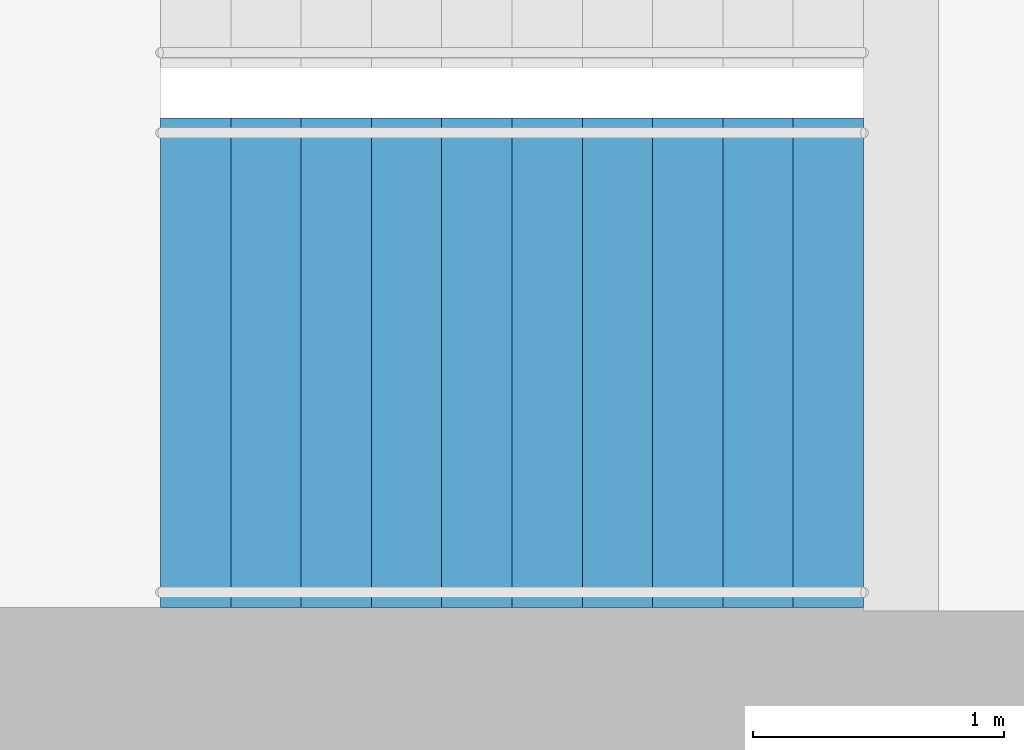
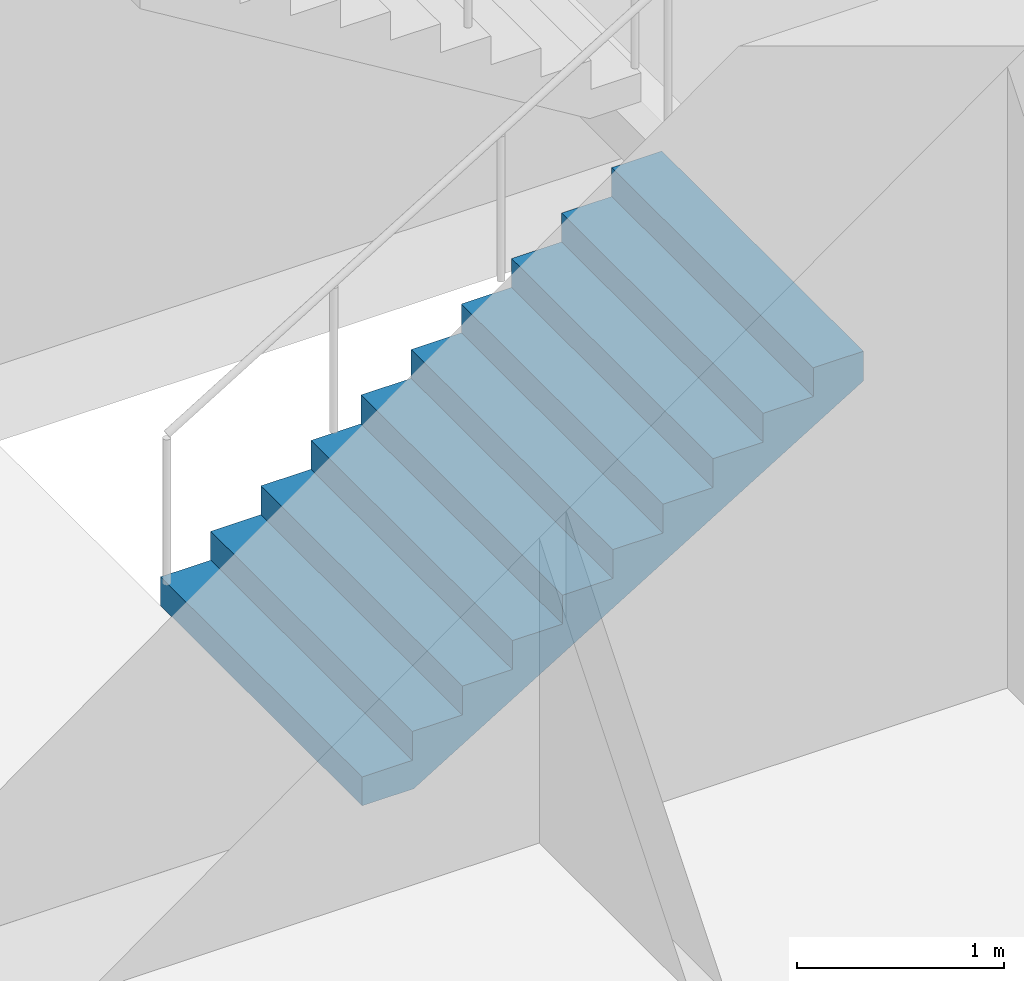
# One storey, part 21 of 27: 1 stair flight, 1 element without a shape of its own.
"""IFC4 building model written with IfcOpenShell, lengths in metres."""

from ifc_helpers import new_model, si_unit, direction, frame, origin, place, context, subcontext, project, spatial, triangles, material, type_object, element, aggregate, save


model = new_model("IFC4")

# Units and contexts
model_context = context("Model", 3, precision=1e-05, world=origin(), true_north=direction((0.0, 1.0)))
body_context = subcontext(model_context, "Body", "Model", "MODEL_VIEW")
ifc_project = project(units=[si_unit("LENGTHUNIT", "METRE"), si_unit("AREAUNIT", "SQUARE_METRE"), si_unit("VOLUMEUNIT", "CUBIC_METRE"), si_unit("PLANEANGLEUNIT", "RADIAN"), si_unit("MASSUNIT", "GRAM", prefix="KILO")], contexts=[model_context])

# Site, building, storey
site_placement = place(None, origin())
site = spatial("IfcSite", under=ifc_project, at=site_placement, CompositionType="ELEMENT")
building_placement = place(site_placement, origin())
building = spatial("IfcBuilding", under=site, at=building_placement, Name="Orbita Commons", CompositionType="ELEMENT")
storey_placement = place(building_placement, frame((0.0, 0.0, 246.550048828125)))
storey = spatial("IfcBuildingStorey", under=building, at=storey_placement, Name="L61", CompositionType="ELEMENT", Elevation=246.550048828125)

# Stair, stair flight
ifc_material_1 = material(Name="Precast concrete C40/50", Category="concrete")
stair_type = type_object("IfcStairType", Name="Exit stair S1 2 flights 11 risers 170", PredefinedType="HALF_TURN_STAIR", material=ifc_material_1)
stair_placement = place(storey_placement, origin())
stair = element("IfcStair", 1, at=stair_placement, inside=storey, type_object=stair_type, Name="Exit stair S1 L61", PredefinedType="HALF_TURN_STAIR")
ifc_material_2 = material(Name="Precast concrete C40/50", Category="concrete")
stair_flight_type = type_object("IfcStairFlightType", Name="Stair flight 11 risers 170 x 280", PredefinedType="STRAIGHT", material=ifc_material_2)
stair_flight_placement = place(storey_placement, frame((20.449951171875, 27.125, 0.0), z_axis=(0.0, 0.0, 1.0), x_axis=(1.0, 0.0, 0.0)))
stair_flight = element("IfcStairFlight", 2, at=stair_flight_placement, type_object=stair_flight_type, Name="S1 flight 1", NumberOfRisers=11, NumberOfTreads=10, PredefinedType="STRAIGHT", RiserHeight=0.170454545, TreadLength=0.28, context=body_context, shape_type="Tessellation", body=[
    triangles([(0.0, 0.974976, 0.0), (0.0, 0.974976, 0.021307), (0.0, 0.81248, 0.021307), (0.0, 0.81248, 0.0), (0.0, 0.649984, 0.021307), (0.0, 0.649984, 0.0), (0.0, 0.487488, 0.021307), (0.0, 0.487488, 0.0), (0.0, 0.324992, 0.021307), (0.0, 0.324992, 0.0), (0.0, 0.162496, 0.021307), (0.0, 0.162496, 0.0), (0.0, 0.0, 0.021307), (0.0, 0.0, 0.0), (0.0, -0.162496, 0.021307), (0.0, -0.162496, 0.0), (0.0, -0.324992, 0.021307), (0.0, -0.324992, 0.0), (0.0, -0.487488, 0.021307), (0.0, -0.487488, 0.0), (0.0, -0.649984, 0.021307), (0.0, -0.649984, 0.0), (0.0, -0.81248, 0.021307), (0.0, -0.81248, 0.0), (0.0, -0.974976, 0.021307), (0.0, -0.974976, 0.0), (0.0, 0.974976, 0.042614), (0.0, 0.81248, 0.042614), (0.0, 0.649984, 0.042614), (0.0, 0.487488, 0.042614), (0.0, 0.324992, 0.042614), (0.0, 0.162496, 0.042614), (0.0, 0.0, 0.042614), (0.0, -0.162496, 0.042614), (0.0, -0.324992, 0.042614), (0.0, -0.487488, 0.042614), (0.0, -0.649984, 0.042614), (0.0, -0.81248, 0.042614), (0.0, -0.974976, 0.042614), (0.0, 0.974976, 0.06392), (0.0, 0.81248, 0.06392), (0.0, 0.649984, 0.06392), (0.0, 0.487488, 0.06392), (0.0, 0.324992, 0.06392), (0.0, 0.162496, 0.06392), (0.0, 0.0, 0.06392), (0.0, -0.162496, 0.06392), (0.0, -0.324992, 0.06392), (0.0, -0.487488, 0.06392), (0.0, -0.649984, 0.06392), (0.0, -0.81248, 0.06392), (0.0, -0.974976, 0.06392), (0.0, 0.974976, 0.085227), (0.0, 0.81248, 0.085227), (0.0, 0.649984, 0.085227), (0.0, 0.487488, 0.085227), (0.0, 0.324992, 0.085227), (0.0, 0.162496, 0.085227), (0.0, 0.0, 0.085227), (0.0, -0.162496, 0.085227), (0.0, -0.324992, 0.085227), (0.0, -0.487488, 0.085227), (0.0, -0.649984, 0.085227), (0.0, -0.81248, 0.085227), (0.0, -0.974976, 0.085227), (0.0, 0.974976, 0.106534), (0.0, 0.81248, 0.106534), (0.0, 0.649984, 0.106534), (0.0, 0.487488, 0.106534), (0.0, 0.324992, 0.106534), (0.0, 0.162496, 0.106534), (0.0, 0.0, 0.106534), (0.0, -0.162496, 0.106534), (0.0, -0.324992, 0.106534), (0.0, -0.487488, 0.106534), (0.0, -0.649984, 0.106534), (0.0, -0.81248, 0.106534), (0.0, -0.974976, 0.106534), (0.0, 0.974976, 0.127841), (0.0, 0.81248, 0.127841), (0.0, 0.649984, 0.127841), (0.0, 0.487488, 0.127841), (0.0, 0.324992, 0.127841), (0.0, 0.162496, 0.127841), (0.0, 0.0, 0.127841), (0.0, -0.162496, 0.127841), (0.0, -0.324992, 0.127841), (0.0, -0.487488, 0.127841), (0.0, -0.649984, 0.127841), (0.0, -0.81248, 0.127841), (0.0, -0.974976, 0.127841), (0.0, 0.974976, 0.149148), (0.0, 0.81248, 0.149148), (0.0, 0.649984, 0.149148), (0.0, 0.487488, 0.149148), (0.0, 0.324992, 0.149148), (0.0, 0.162496, 0.149148), (0.0, 0.0, 0.149148), (0.0, -0.162496, 0.149148), (0.0, -0.324992, 0.149148), (0.0, -0.487488, 0.149148), (0.0, -0.649984, 0.149148), (0.0, -0.81248, 0.149148), (0.0, -0.974976, 0.149148), (0.0, 0.974976, 0.170455), (0.0, 0.81248, 0.170455), (0.0, 0.649984, 0.170455), (0.0, 0.487488, 0.170455), (0.0, 0.324992, 0.170455), (0.0, 0.162496, 0.170455), (0.0, 0.0, 0.170455), (0.0, -0.162496, 0.170455), (0.0, -0.324992, 0.170455), (0.0, -0.487488, 0.170455), (0.0, -0.649984, 0.170455), (0.0, -0.81248, 0.170455), (0.0, -0.974976, 0.170455), (0.28, 0.974976, 0.170455), (0.28, 0.81248, 0.170455), (0.28, 0.649984, 0.170455), (0.28, 0.487488, 0.170455), (0.28, 0.324992, 0.170455), (0.28, 0.162496, 0.170455), (0.28, 0.0, 0.170455), (0.28, -0.162496, 0.170455), (0.28, -0.324992, 0.170455), (0.28, -0.487488, 0.170455), (0.28, -0.649984, 0.170455), (0.28, -0.81248, 0.170455), (0.28, -0.974976, 0.170455), (0.28, 0.974976, 0.340909), (0.28, 0.81248, 0.340909), (0.28, 0.649984, 0.340909), (0.28, 0.487488, 0.340909), (0.28, 0.324992, 0.340909), (0.28, 0.162496, 0.340909), (0.28, 0.0, 0.340909), (0.28, -0.162496, 0.340909), (0.28, -0.324992, 0.340909), (0.28, -0.487488, 0.340909), (0.28, -0.649984, 0.340909), (0.28, -0.81248, 0.340909), (0.28, -0.974976, 0.340909), (0.56, 0.974976, 0.340909), (0.56, 0.81248, 0.340909), (0.56, 0.649984, 0.340909), (0.56, 0.487488, 0.340909), (0.56, 0.324992, 0.340909), (0.56, 0.162496, 0.340909), (0.56, 0.0, 0.340909), (0.56, -0.162496, 0.340909), (0.56, -0.324992, 0.340909), (0.56, -0.487488, 0.340909), (0.56, -0.649984, 0.340909), (0.56, -0.81248, 0.340909), (0.56, -0.974976, 0.340909), (0.56, 0.974976, 0.511364), (0.56, 0.81248, 0.511364), (0.56, 0.649984, 0.511364), (0.56, 0.487488, 0.511364), (0.56, 0.324992, 0.511364), (0.56, 0.162496, 0.511364), (0.56, 0.0, 0.511364), (0.56, -0.162496, 0.511364), (0.56, -0.324992, 0.511364), (0.56, -0.487488, 0.511364), (0.56, -0.649984, 0.511364), (0.56, -0.81248, 0.511364), (0.56, -0.974976, 0.511364), (0.84, 0.974976, 0.511364), (0.84, 0.81248, 0.511364), (0.84, 0.649984, 0.511364), (0.84, 0.487488, 0.511364), (0.84, 0.324992, 0.511364), (0.84, 0.162496, 0.511364), (0.84, 0.0, 0.511364), (0.84, -0.162496, 0.511364), (0.84, -0.324992, 0.511364), (0.84, -0.487488, 0.511364), (0.84, -0.649984, 0.511364), (0.84, -0.81248, 0.511364), (0.84, -0.974976, 0.511364), (0.84, 0.974976, 0.681818), (0.84, 0.81248, 0.681818), (0.84, 0.649984, 0.681818), (0.84, 0.487488, 0.681818), (0.84, 0.324992, 0.681818), (0.84, 0.162496, 0.681818), (0.84, 0.0, 0.681818), (0.84, -0.162496, 0.681818), (0.84, -0.324992, 0.681818), (0.84, -0.487488, 0.681818), (0.84, -0.649984, 0.681818), (0.84, -0.81248, 0.681818), (0.84, -0.974976, 0.681818), (1.12, 0.974976, 0.681818), (1.12, 0.81248, 0.681818), (1.12, 0.649984, 0.681818), (1.12, 0.487488, 0.681818), (1.12, 0.324992, 0.681818), (1.12, 0.162496, 0.681818), (1.12, 0.0, 0.681818), (1.12, -0.162496, 0.681818), (1.12, -0.324992, 0.681818), (1.12, -0.487488, 0.681818), (1.12, -0.649984, 0.681818), (1.12, -0.81248, 0.681818), (1.12, -0.974976, 0.681818), (1.12, 0.974976, 0.852273), (1.12, 0.81248, 0.852273), (1.12, 0.649984, 0.852273), (1.12, 0.487488, 0.852273), (1.12, 0.324992, 0.852273), (1.12, 0.162496, 0.852273), (1.12, 0.0, 0.852273), (1.12, -0.162496, 0.852273), (1.12, -0.324992, 0.852273), (1.12, -0.487488, 0.852273), (1.12, -0.649984, 0.852273), (1.12, -0.81248, 0.852273), (1.12, -0.974976, 0.852273), (1.4, 0.974976, 0.852273), (1.4, 0.81248, 0.852273), (1.4, 0.649984, 0.852273), (1.4, 0.487488, 0.852273), (1.4, 0.324992, 0.852273), (1.4, 0.162496, 0.852273), (1.4, 0.0, 0.852273), (1.4, -0.162496, 0.852273), (1.4, -0.324992, 0.852273), (1.4, -0.487488, 0.852273), (1.4, -0.649984, 0.852273), (1.4, -0.81248, 0.852273), (1.4, -0.974976, 0.852273), (1.4, 0.974976, 1.022727), (1.4, 0.81248, 1.022727), (1.4, 0.649984, 1.022727), (1.4, 0.487488, 1.022727), (1.4, 0.324992, 1.022727), (1.4, 0.162496, 1.022727), (1.4, 0.0, 1.022727), (1.4, -0.162496, 1.022727), (1.4, -0.324992, 1.022727), (1.4, -0.487488, 1.022727), (1.4, -0.649984, 1.022727), (1.4, -0.81248, 1.022727), (1.4, -0.974976, 1.022727), (1.68, 0.974976, 1.022727), (1.68, 0.81248, 1.022727), (1.68, 0.649984, 1.022727), (1.68, 0.487488, 1.022727), (1.68, 0.324992, 1.022727), (1.68, 0.162496, 1.022727), (1.68, 0.0, 1.022727), (1.68, -0.162496, 1.022727), (1.68, -0.324992, 1.022727), (1.68, -0.487488, 1.022727), (1.68, -0.649984, 1.022727), (1.68, -0.81248, 1.022727), (1.68, -0.974976, 1.022727), (1.68, 0.974976, 1.193182), (1.68, 0.81248, 1.193182), (1.68, 0.649984, 1.193182), (1.68, 0.487488, 1.193182), (1.68, 0.324992, 1.193182), (1.68, 0.162496, 1.193182), (1.68, 0.0, 1.193182), (1.68, -0.162496, 1.193182), (1.68, -0.324992, 1.193182), (1.68, -0.487488, 1.193182), (1.68, -0.649984, 1.193182), (1.68, -0.81248, 1.193182), (1.68, -0.974976, 1.193182), (1.96, 0.974976, 1.193182), (1.96, 0.81248, 1.193182), (1.96, 0.649984, 1.193182), (1.96, 0.487488, 1.193182), (1.96, 0.324992, 1.193182), (1.96, 0.162496, 1.193182), (1.96, 0.0, 1.193182), (1.96, -0.162496, 1.193182), (1.96, -0.324992, 1.193182), (1.96, -0.487488, 1.193182), (1.96, -0.649984, 1.193182), (1.96, -0.81248, 1.193182), (1.96, -0.974976, 1.193182), (1.96, 0.974976, 1.363636), (1.96, 0.81248, 1.363636), (1.96, 0.649984, 1.363636), (1.96, 0.487488, 1.363636), (1.96, 0.324992, 1.363636), (1.96, 0.162496, 1.363636), (1.96, 0.0, 1.363636), (1.96, -0.162496, 1.363636), (1.96, -0.324992, 1.363636), (1.96, -0.487488, 1.363636), (1.96, -0.649984, 1.363636), (1.96, -0.81248, 1.363636), (1.96, -0.974976, 1.363636), (2.24, 0.974976, 1.363636), (2.24, 0.81248, 1.363636), (2.24, 0.649984, 1.363636), (2.24, 0.487488, 1.363636), (2.24, 0.324992, 1.363636), (2.24, 0.162496, 1.363636), (2.24, 0.0, 1.363636), (2.24, -0.162496, 1.363636), (2.24, -0.324992, 1.363636), (2.24, -0.487488, 1.363636), (2.24, -0.649984, 1.363636), (2.24, -0.81248, 1.363636), (2.24, -0.974976, 1.363636), (2.24, 0.974976, 1.534091), (2.24, 0.81248, 1.534091), (2.24, 0.649984, 1.534091), (2.24, 0.487488, 1.534091), (2.24, 0.324992, 1.534091), (2.24, 0.162496, 1.534091), (2.24, 0.0, 1.534091), (2.24, -0.162496, 1.534091), (2.24, -0.324992, 1.534091), (2.24, -0.487488, 1.534091), (2.24, -0.649984, 1.534091), (2.24, -0.81248, 1.534091), (2.24, -0.974976, 1.534091), (2.52, 0.974976, 1.534091), (2.52, 0.81248, 1.534091), (2.52, 0.649984, 1.534091), (2.52, 0.487488, 1.534091), (2.52, 0.324992, 1.534091), (2.52, 0.162496, 1.534091), (2.52, 0.0, 1.534091), (2.52, -0.162496, 1.534091), (2.52, -0.324992, 1.534091), (2.52, -0.487488, 1.534091), (2.52, -0.649984, 1.534091), (2.52, -0.81248, 1.534091), (2.52, -0.974976, 1.534091), (2.52, 0.974976, 1.704545), (2.52, 0.81248, 1.704545), (2.52, 0.649984, 1.704545), (2.52, 0.487488, 1.704545), (2.52, 0.324992, 1.704545), (2.52, 0.162496, 1.704545), (2.52, 0.0, 1.704545), (2.52, -0.162496, 1.704545), (2.52, -0.324992, 1.704545), (2.52, -0.487488, 1.704545), (2.52, -0.649984, 1.704545), (2.52, -0.81248, 1.704545), (2.52, -0.974976, 1.704545), (2.8, 0.974976, 1.704545), (2.8, 0.81248, 1.704545), (2.8, 0.649984, 1.704545), (2.8, 0.487488, 1.704545), (2.8, 0.324992, 1.704545), (2.8, 0.162496, 1.704545), (2.8, 0.0, 1.704545), (2.8, -0.162496, 1.704545), (2.8, -0.324992, 1.704545), (2.8, -0.487488, 1.704545), (2.8, -0.649984, 1.704545), (2.8, -0.81248, 1.704545), (2.8, -0.974976, 1.704545), (2.8, 0.974976, 1.682609), (2.8, 0.81248, 1.682609), (2.8, 0.649984, 1.682609), (2.8, 0.487488, 1.682609), (2.8, 0.324992, 1.682609), (2.8, 0.162496, 1.682609), (2.8, 0.0, 1.682609), (2.8, -0.162496, 1.682609), (2.8, -0.324992, 1.682609), (2.8, -0.487488, 1.682609), (2.8, -0.649984, 1.682609), (2.8, -0.81248, 1.682609), (2.8, -0.974976, 1.682609), (2.8, 0.974976, 1.660672), (2.8, 0.81248, 1.660672), (2.8, 0.649984, 1.660672), (2.8, 0.487488, 1.660672), (2.8, 0.324992, 1.660672), (2.8, 0.162496, 1.660672), (2.8, 0.0, 1.660672), (2.8, -0.162496, 1.660672), (2.8, -0.324992, 1.660672), (2.8, -0.487488, 1.660672), (2.8, -0.649984, 1.660672), (2.8, -0.81248, 1.660672), (2.8, -0.974976, 1.660672), (2.8, 0.974976, 1.638735), (2.8, 0.81248, 1.638735), (2.8, 0.649984, 1.638735), (2.8, 0.487488, 1.638735), (2.8, 0.324992, 1.638735), (2.8, 0.162496, 1.638735), (2.8, 0.0, 1.638735), (2.8, -0.162496, 1.638735), (2.8, -0.324992, 1.638735), (2.8, -0.487488, 1.638735), (2.8, -0.649984, 1.638735), (2.8, -0.81248, 1.638735), (2.8, -0.974976, 1.638735), (2.8, 0.974976, 1.616798), (2.8, 0.81248, 1.616798), (2.8, 0.649984, 1.616798), (2.8, 0.487488, 1.616798), (2.8, 0.324992, 1.616798), (2.8, 0.162496, 1.616798), (2.8, 0.0, 1.616798), (2.8, -0.162496, 1.616798), (2.8, -0.324992, 1.616798), (2.8, -0.487488, 1.616798), (2.8, -0.649984, 1.616798), (2.8, -0.81248, 1.616798), (2.8, -0.974976, 1.616798), (2.8, 0.974976, 1.594861), (2.8, 0.81248, 1.594861), (2.8, 0.649984, 1.594861), (2.8, 0.487488, 1.594861), (2.8, 0.324992, 1.594861), (2.8, 0.162496, 1.594861), (2.8, 0.0, 1.594861), (2.8, -0.162496, 1.594861), (2.8, -0.324992, 1.594861), (2.8, -0.487488, 1.594861), (2.8, -0.649984, 1.594861), (2.8, -0.81248, 1.594861), (2.8, -0.974976, 1.594861), (2.8, 0.974976, 1.572925), (2.8, 0.81248, 1.572925), (2.8, 0.649984, 1.572925), (2.8, 0.487488, 1.572925), (2.8, 0.324992, 1.572925), (2.8, 0.162496, 1.572925), (2.8, 0.0, 1.572925), (2.8, -0.162496, 1.572925), (2.8, -0.324992, 1.572925), (2.8, -0.487488, 1.572925), (2.8, -0.649984, 1.572925), (2.8, -0.81248, 1.572925), (2.8, -0.974976, 1.572925), (2.8, 0.974976, 1.550988), (2.8, 0.81248, 1.550988), (2.8, 0.649984, 1.550988), (2.8, 0.487488, 1.550988), (2.8, 0.324992, 1.550988), (2.8, 0.162496, 1.550988), (2.8, 0.0, 1.550988), (2.8, -0.162496, 1.550988), (2.8, -0.324992, 1.550988), (2.8, -0.487488, 1.550988), (2.8, -0.649984, 1.550988), (2.8, -0.81248, 1.550988), (2.8, -0.974976, 1.550988), (2.8, 0.974976, 1.529051), (2.8, 0.81248, 1.529051), (2.8, 0.649984, 1.529051), (2.8, 0.487488, 1.529051), (2.8, 0.324992, 1.529051), (2.8, 0.162496, 1.529051), (2.8, 0.0, 1.529051), (2.8, -0.162496, 1.529051), (2.8, -0.324992, 1.529051), (2.8, -0.487488, 1.529051), (2.8, -0.649984, 1.529051), (2.8, -0.81248, 1.529051), (2.8, -0.974976, 1.529051), (0.288279, 0.974976, 0.0), (0.288279, 0.81248, 0.0), (0.288279, 0.649984, 0.0), (0.288279, 0.487488, 0.0), (0.288279, 0.324992, 0.0), (0.288279, 0.162496, 0.0), (0.288279, 0.0, 0.0), (0.288279, -0.162496, 0.0), (0.288279, -0.324992, 0.0), (0.288279, -0.487488, 0.0), (0.288279, -0.649984, 0.0), (0.288279, -0.81248, 0.0), (0.288279, -0.974976, 0.0)], [[3, 2, 1], [4, 3, 1], [5, 3, 4], [6, 5, 4], [7, 5, 6], [8, 7, 6], [9, 7, 8], [10, 9, 8], [11, 9, 10], [12, 11, 10], [13, 11, 12], [14, 13, 12], [15, 13, 14], [16, 15, 14], [17, 15, 16], [18, 17, 16], [19, 17, 18], [20, 19, 18], [21, 19, 20], [22, 21, 20], [23, 21, 22], [24, 23, 22], [25, 23, 24], [26, 25, 24], [28, 27, 2], [3, 28, 2], [29, 28, 3], [5, 29, 3], [30, 29, 5], [7, 30, 5], [31, 30, 7], [9, 31, 7], [32, 31, 9], [11, 32, 9], [33, 32, 11], [13, 33, 11], [34, 33, 13], [15, 34, 13], [35, 34, 15], [17, 35, 15], [36, 35, 17], [19, 36, 17], [37, 36, 19], [21, 37, 19], [38, 37, 21], [23, 38, 21], [39, 38, 23], [25, 39, 23], [41, 40, 27], [28, 41, 27], [42, 41, 28], [29, 42, 28], [43, 42, 29], [30, 43, 29], [44, 43, 30], [31, 44, 30], [45, 44, 31], [32, 45, 31], [46, 45, 32], [33, 46, 32], [47, 46, 33], [34, 47, 33], [48, 47, 34], [35, 48, 34], [49, 48, 35], [36, 49, 35], [50, 49, 36], [37, 50, 36], [51, 50, 37], [38, 51, 37], [52, 51, 38], [39, 52, 38], [54, 53, 40], [41, 54, 40], [55, 54, 41], [42, 55, 41], [56, 55, 42], [43, 56, 42], [57, 56, 43], [44, 57, 43], [58, 57, 44], [45, 58, 44], [59, 58, 45], [46, 59, 45], [60, 59, 46], [47, 60, 46], [61, 60, 47], [48, 61, 47], [62, 61, 48], [49, 62, 48], [63, 62, 49], [50, 63, 49], [64, 63, 50], [51, 64, 50], [65, 64, 51], [52, 65, 51], [67, 66, 53], [54, 67, 53], [68, 67, 54], [55, 68, 54], [69, 68, 55], [56, 69, 55], [70, 69, 56], [57, 70, 56], [71, 70, 57], [58, 71, 57], [72, 71, 58], [59, 72, 58], [73, 72, 59], [60, 73, 59], [74, 73, 60], [61, 74, 60], [75, 74, 61], [62, 75, 61], [76, 75, 62], [63, 76, 62], [77, 76, 63], [64, 77, 63], [78, 77, 64], [65, 78, 64], [80, 79, 66], [67, 80, 66], [81, 80, 67], [68, 81, 67], [82, 81, 68], [69, 82, 68], [83, 82, 69], [70, 83, 69], [84, 83, 70], [71, 84, 70], [85, 84, 71], [72, 85, 71], [86, 85, 72], [73, 86, 72], [87, 86, 73], [74, 87, 73], [88, 87, 74], [75, 88, 74], [89, 88, 75], [76, 89, 75], [90, 89, 76], [77, 90, 76], [91, 90, 77], [78, 91, 77], [93, 92, 79], [80, 93, 79], [94, 93, 80], [81, 94, 80], [95, 94, 81], [82, 95, 81], [96, 95, 82], [83, 96, 82], [97, 96, 83], [84, 97, 83], [98, 97, 84], [85, 98, 84], [99, 98, 85], [86, 99, 85], [100, 99, 86], [87, 100, 86], [101, 100, 87], [88, 101, 87], [102, 101, 88], [89, 102, 88], [103, 102, 89], [90, 103, 89], [104, 103, 90], [91, 104, 90], [106, 105, 92], [93, 106, 92], [107, 106, 93], [94, 107, 93], [108, 107, 94], [95, 108, 94], [109, 108, 95], [96, 109, 95], [110, 109, 96], [97, 110, 96], [111, 110, 97], [98, 111, 97], [112, 111, 98], [99, 112, 98], [113, 112, 99], [100, 113, 99], [114, 113, 100], [101, 114, 100], [115, 114, 101], [102, 115, 101], [116, 115, 102], [103, 116, 102], [117, 116, 103], [104, 117, 103], [119, 118, 105], [106, 119, 105], [120, 119, 106], [107, 120, 106], [121, 120, 107], [108, 121, 107], [122, 121, 108], [109, 122, 108], [123, 122, 109], [110, 123, 109], [124, 123, 110], [111, 124, 110], [125, 124, 111], [112, 125, 111], [126, 125, 112], [113, 126, 112], [127, 126, 113], [114, 127, 113], [128, 127, 114], [115, 128, 114], [129, 128, 115], [116, 129, 115], [130, 129, 116], [117, 130, 116], [132, 131, 118], [119, 132, 118], [133, 132, 119], [120, 133, 119], [134, 133, 120], [121, 134, 120], [135, 134, 121], [122, 135, 121], [136, 135, 122], [123, 136, 122], [137, 136, 123], [124, 137, 123], [138, 137, 124], [125, 138, 124], [139, 138, 125], [126, 139, 125], [140, 139, 126], [127, 140, 126], [141, 140, 127], [128, 141, 127], [142, 141, 128], [129, 142, 128], [143, 142, 129], [130, 143, 129], [145, 144, 131], [132, 145, 131], [146, 145, 132], [133, 146, 132], [147, 146, 133], [134, 147, 133], [148, 147, 134], [135, 148, 134], [149, 148, 135], [136, 149, 135], [150, 149, 136], [137, 150, 136], [151, 150, 137], [138, 151, 137], [152, 151, 138], [139, 152, 138], [153, 152, 139], [140, 153, 139], [154, 153, 140], [141, 154, 140], [155, 154, 141], [142, 155, 141], [156, 155, 142], [143, 156, 142], [158, 157, 144], [145, 158, 144], [159, 158, 145], [146, 159, 145], [160, 159, 146], [147, 160, 146], [161, 160, 147], [148, 161, 147], [162, 161, 148], [149, 162, 148], [163, 162, 149], [150, 163, 149], [164, 163, 150], [151, 164, 150], [165, 164, 151], [152, 165, 151], [166, 165, 152], [153, 166, 152], [167, 166, 153], [154, 167, 153], [168, 167, 154], [155, 168, 154], [169, 168, 155], [156, 169, 155], [171, 170, 157], [158, 171, 157], [172, 171, 158], [159, 172, 158], [173, 172, 159], [160, 173, 159], [174, 173, 160], [161, 174, 160], [175, 174, 161], [162, 175, 161], [176, 175, 162], [163, 176, 162], [177, 176, 163], [164, 177, 163], [178, 177, 164], [165, 178, 164], [179, 178, 165], [166, 179, 165], [180, 179, 166], [167, 180, 166], [181, 180, 167], [168, 181, 167], [182, 181, 168], [169, 182, 168], [184, 183, 170], [171, 184, 170], [185, 184, 171], [172, 185, 171], [186, 185, 172], [173, 186, 172], [187, 186, 173], [174, 187, 173], [188, 187, 174], [175, 188, 174], [189, 188, 175], [176, 189, 175], [190, 189, 176], [177, 190, 176], [191, 190, 177], [178, 191, 177], [192, 191, 178], [179, 192, 178], [193, 192, 179], [180, 193, 179], [194, 193, 180], [181, 194, 180], [195, 194, 181], [182, 195, 181], [197, 196, 183], [184, 197, 183], [198, 197, 184], [185, 198, 184], [199, 198, 185], [186, 199, 185], [200, 199, 186], [187, 200, 186], [201, 200, 187], [188, 201, 187], [202, 201, 188], [189, 202, 188], [203, 202, 189], [190, 203, 189], [204, 203, 190], [191, 204, 190], [205, 204, 191], [192, 205, 191], [206, 205, 192], [193, 206, 192], [207, 206, 193], [194, 207, 193], [208, 207, 194], [195, 208, 194], [210, 209, 196], [197, 210, 196], [211, 210, 197], [198, 211, 197], [212, 211, 198], [199, 212, 198], [213, 212, 199], [200, 213, 199], [214, 213, 200], [201, 214, 200], [215, 214, 201], [202, 215, 201], [216, 215, 202], [203, 216, 202], [217, 216, 203], [204, 217, 203], [218, 217, 204], [205, 218, 204], [219, 218, 205], [206, 219, 205], [220, 219, 206], [207, 220, 206], [221, 220, 207], [208, 221, 207], [223, 222, 209], [210, 223, 209], [224, 223, 210], [211, 224, 210], [225, 224, 211], [212, 225, 211], [226, 225, 212], [213, 226, 212], [227, 226, 213], [214, 227, 213], [228, 227, 214], [215, 228, 214], [229, 228, 215], [216, 229, 215], [230, 229, 216], [217, 230, 216], [231, 230, 217], [218, 231, 217], [232, 231, 218], [219, 232, 218], [233, 232, 219], [220, 233, 219], [234, 233, 220], [221, 234, 220], [236, 235, 222], [223, 236, 222], [237, 236, 223], [224, 237, 223], [238, 237, 224], [225, 238, 224], [239, 238, 225], [226, 239, 225], [240, 239, 226], [227, 240, 226], [241, 240, 227], [228, 241, 227], [242, 241, 228], [229, 242, 228], [243, 242, 229], [230, 243, 229], [244, 243, 230], [231, 244, 230], [245, 244, 231], [232, 245, 231], [246, 245, 232], [233, 246, 232], [247, 246, 233], [234, 247, 233], [249, 248, 235], [236, 249, 235], [250, 249, 236], [237, 250, 236], [251, 250, 237], [238, 251, 237], [252, 251, 238], [239, 252, 238], [253, 252, 239], [240, 253, 239], [254, 253, 240], [241, 254, 240], [255, 254, 241], [242, 255, 241], [256, 255, 242], [243, 256, 242], [257, 256, 243], [244, 257, 243], [258, 257, 244], [245, 258, 244], [259, 258, 245], [246, 259, 245], [260, 259, 246], [247, 260, 246], [262, 261, 248], [249, 262, 248], [263, 262, 249], [250, 263, 249], [264, 263, 250], [251, 264, 250], [265, 264, 251], [252, 265, 251], [266, 265, 252], [253, 266, 252], [267, 266, 253], [254, 267, 253], [268, 267, 254], [255, 268, 254], [269, 268, 255], [256, 269, 255], [270, 269, 256], [257, 270, 256], [271, 270, 257], [258, 271, 257], [272, 271, 258], [259, 272, 258], [273, 272, 259], [260, 273, 259], [275, 274, 261], [262, 275, 261], [276, 275, 262], [263, 276, 262], [277, 276, 263], [264, 277, 263], [278, 277, 264], [265, 278, 264], [279, 278, 265], [266, 279, 265], [280, 279, 266], [267, 280, 266], [281, 280, 267], [268, 281, 267], [282, 281, 268], [269, 282, 268], [283, 282, 269], [270, 283, 269], [284, 283, 270], [271, 284, 270], [285, 284, 271], [272, 285, 271], [286, 285, 272], [273, 286, 272], [288, 287, 274], [275, 288, 274], [289, 288, 275], [276, 289, 275], [290, 289, 276], [277, 290, 276], [291, 290, 277], [278, 291, 277], [292, 291, 278], [279, 292, 278], [293, 292, 279], [280, 293, 279], [294, 293, 280], [281, 294, 280], [295, 294, 281], [282, 295, 281], [296, 295, 282], [283, 296, 282], [297, 296, 283], [284, 297, 283], [298, 297, 284], [285, 298, 284], [299, 298, 285], [286, 299, 285], [301, 300, 287], [288, 301, 287], [302, 301, 288], [289, 302, 288], [303, 302, 289], [290, 303, 289], [304, 303, 290], [291, 304, 290], [305, 304, 291], [292, 305, 291], [306, 305, 292], [293, 306, 292], [307, 306, 293], [294, 307, 293], [308, 307, 294], [295, 308, 294], [309, 308, 295], [296, 309, 295], [310, 309, 296], [297, 310, 296], [311, 310, 297], [298, 311, 297], [312, 311, 298], [299, 312, 298], [314, 313, 300], [301, 314, 300], [315, 314, 301], [302, 315, 301], [316, 315, 302], [303, 316, 302], [317, 316, 303], [304, 317, 303], [318, 317, 304], [305, 318, 304], [319, 318, 305], [306, 319, 305], [320, 319, 306], [307, 320, 306], [321, 320, 307], [308, 321, 307], [322, 321, 308], [309, 322, 308], [323, 322, 309], [310, 323, 309], [324, 323, 310], [311, 324, 310], [325, 324, 311], [312, 325, 311], [327, 326, 313], [314, 327, 313], [328, 327, 314], [315, 328, 314], [329, 328, 315], [316, 329, 315], [330, 329, 316], [317, 330, 316], [331, 330, 317], [318, 331, 317], [332, 331, 318], [319, 332, 318], [333, 332, 319], [320, 333, 319], [334, 333, 320], [321, 334, 320], [335, 334, 321], [322, 335, 321], [336, 335, 322], [323, 336, 322], [337, 336, 323], [324, 337, 323], [338, 337, 324], [325, 338, 324], [340, 339, 326], [327, 340, 326], [341, 340, 327], [328, 341, 327], [342, 341, 328], [329, 342, 328], [343, 342, 329], [330, 343, 329], [344, 343, 330], [331, 344, 330], [345, 344, 331], [332, 345, 331], [346, 345, 332], [333, 346, 332], [347, 346, 333], [334, 347, 333], [348, 347, 334], [335, 348, 334], [349, 348, 335], [336, 349, 335], [350, 349, 336], [337, 350, 336], [351, 350, 337], [338, 351, 337], [353, 352, 339], [340, 353, 339], [354, 353, 340], [341, 354, 340], [355, 354, 341], [342, 355, 341], [356, 355, 342], [343, 356, 342], [357, 356, 343], [344, 357, 343], [358, 357, 344], [345, 358, 344], [359, 358, 345], [346, 359, 345], [360, 359, 346], [347, 360, 346], [361, 360, 347], [348, 361, 347], [362, 361, 348], [349, 362, 348], [363, 362, 349], [350, 363, 349], [364, 363, 350], [351, 364, 350], [366, 365, 352], [353, 366, 352], [367, 366, 353], [354, 367, 353], [368, 367, 354], [355, 368, 354], [369, 368, 355], [356, 369, 355], [370, 369, 356], [357, 370, 356], [371, 370, 357], [358, 371, 357], [372, 371, 358], [359, 372, 358], [373, 372, 359], [360, 373, 359], [374, 373, 360], [361, 374, 360], [375, 374, 361], [362, 375, 361], [376, 375, 362], [363, 376, 362], [377, 376, 363], [364, 377, 363], [379, 378, 365], [366, 379, 365], [380, 379, 366], [367, 380, 366], [381, 380, 367], [368, 381, 367], [382, 381, 368], [369, 382, 368], [383, 382, 369], [370, 383, 369], [384, 383, 370], [371, 384, 370], [385, 384, 371], [372, 385, 371], [386, 385, 372], [373, 386, 372], [387, 386, 373], [374, 387, 373], [388, 387, 374], [375, 388, 374], [389, 388, 375], [376, 389, 375], [390, 389, 376], [377, 390, 376], [392, 391, 378], [379, 392, 378], [393, 392, 379], [380, 393, 379], [394, 393, 380], [381, 394, 380], [395, 394, 381], [382, 395, 381], [396, 395, 382], [383, 396, 382], [397, 396, 383], [384, 397, 383], [398, 397, 384], [385, 398, 384], [399, 398, 385], [386, 399, 385], [400, 399, 386], [387, 400, 386], [401, 400, 387], [388, 401, 387], [402, 401, 388], [389, 402, 388], [403, 402, 389], [390, 403, 389], [405, 404, 391], [392, 405, 391], [406, 405, 392], [393, 406, 392], [407, 406, 393], [394, 407, 393], [408, 407, 394], [395, 408, 394], [409, 408, 395], [396, 409, 395], [410, 409, 396], [397, 410, 396], [411, 410, 397], [398, 411, 397], [412, 411, 398], [399, 412, 398], [413, 412, 399], [400, 413, 399], [414, 413, 400], [401, 414, 400], [415, 414, 401], [402, 415, 401], [416, 415, 402], [403, 416, 402], [418, 417, 404], [405, 418, 404], [419, 418, 405], [406, 419, 405], [420, 419, 406], [407, 420, 406], [421, 420, 407], [408, 421, 407], [422, 421, 408], [409, 422, 408], [423, 422, 409], [410, 423, 409], [424, 423, 410], [411, 424, 410], [425, 424, 411], [412, 425, 411], [426, 425, 412], [413, 426, 412], [427, 426, 413], [414, 427, 413], [428, 427, 414], [415, 428, 414], [429, 428, 415], [416, 429, 415], [431, 430, 417], [418, 431, 417], [432, 431, 418], [419, 432, 418], [433, 432, 419], [420, 433, 419], [434, 433, 420], [421, 434, 420], [435, 434, 421], [422, 435, 421], [436, 435, 422], [423, 436, 422], [437, 436, 423], [424, 437, 423], [438, 437, 424], [425, 438, 424], [439, 438, 425], [426, 439, 425], [440, 439, 426], [427, 440, 426], [441, 440, 427], [428, 441, 427], [442, 441, 428], [429, 442, 428], [444, 443, 430], [431, 444, 430], [445, 444, 431], [432, 445, 431], [446, 445, 432], [433, 446, 432], [447, 446, 433], [434, 447, 433], [448, 447, 434], [435, 448, 434], [449, 448, 435], [436, 449, 435], [450, 449, 436], [437, 450, 436], [451, 450, 437], [438, 451, 437], [452, 451, 438], [439, 452, 438], [453, 452, 439], [440, 453, 439], [454, 453, 440], [441, 454, 440], [455, 454, 441], [442, 455, 441], [457, 456, 443], [444, 457, 443], [458, 457, 444], [445, 458, 444], [459, 458, 445], [446, 459, 445], [460, 459, 446], [447, 460, 446], [461, 460, 447], [448, 461, 447], [462, 461, 448], [449, 462, 448], [463, 462, 449], [450, 463, 449], [464, 463, 450], [451, 464, 450], [465, 464, 451], [452, 465, 451], [466, 465, 452], [453, 466, 452], [467, 466, 453], [454, 467, 453], [468, 467, 454], [455, 468, 454], [470, 469, 456], [457, 470, 456], [471, 470, 457], [458, 471, 457], [472, 471, 458], [459, 472, 458], [473, 472, 459], [460, 473, 459], [474, 473, 460], [461, 474, 460], [475, 474, 461], [462, 475, 461], [476, 475, 462], [463, 476, 462], [477, 476, 463], [464, 477, 463], [478, 477, 464], [465, 478, 464], [479, 478, 465], [466, 479, 465], [480, 479, 466], [467, 480, 466], [481, 480, 467], [468, 481, 467], [4, 1, 469], [470, 4, 469], [6, 4, 470], [471, 6, 470], [8, 6, 471], [472, 8, 471], [10, 8, 472], [473, 10, 472], [12, 10, 473], [474, 12, 473], [14, 12, 474], [475, 14, 474], [16, 14, 475], [476, 16, 475], [18, 16, 476], [477, 18, 476], [20, 18, 477], [478, 20, 477], [22, 20, 478], [479, 22, 478], [24, 22, 479], [480, 24, 479], [26, 24, 480], [481, 26, 480], [456, 469, 1], [26, 481, 468], [443, 456, 1], [26, 468, 455], [430, 443, 1], [26, 455, 442], [417, 430, 1], [26, 442, 429], [404, 417, 1], [26, 429, 416], [391, 404, 1], [26, 416, 403], [378, 391, 1], [26, 403, 390], [365, 378, 1], [26, 390, 377], [339, 352, 365], [377, 364, 351], [326, 339, 365], [377, 351, 338], [300, 313, 326], [338, 325, 312], [300, 326, 365], [377, 338, 312], [274, 287, 300], [312, 299, 286], [274, 300, 365], [377, 312, 286], [248, 261, 274], [286, 273, 260], [248, 274, 365], [377, 286, 260], [222, 235, 248], [260, 247, 234], [222, 248, 365], [377, 260, 234], [196, 209, 222], [234, 221, 208], [196, 222, 365], [377, 234, 208], [170, 183, 196], [208, 195, 182], [170, 196, 365], [377, 208, 182], [144, 157, 170], [182, 169, 156], [144, 170, 365], [377, 182, 156], [118, 131, 144], [156, 143, 130], [118, 144, 365], [377, 156, 130], [118, 365, 1], [26, 377, 130], [92, 105, 118], [130, 117, 104], [79, 92, 118], [130, 104, 91], [66, 79, 118], [130, 91, 78], [53, 66, 118], [130, 78, 65], [40, 53, 118], [130, 65, 52], [27, 40, 118], [130, 52, 39], [2, 27, 118], [130, 39, 25], [1, 2, 118], [130, 25, 26]], closed=True),
])
aggregate(stair, [stair_flight])

save(model, "model.ifc")
